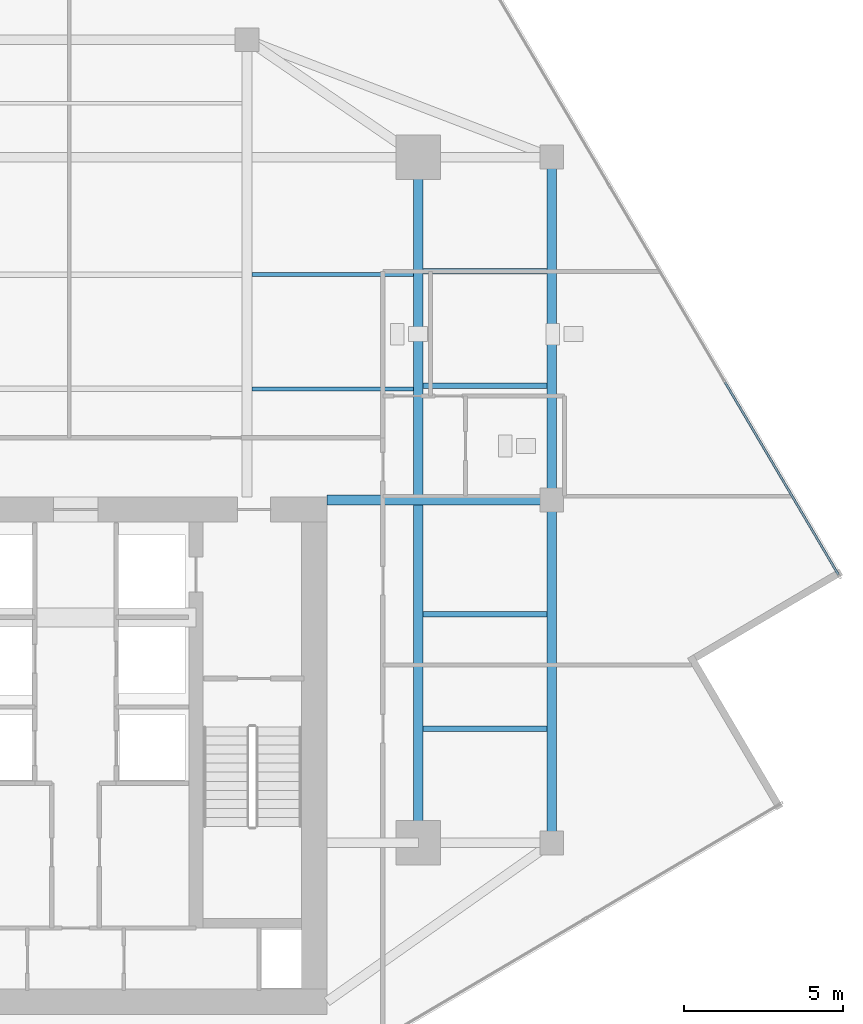
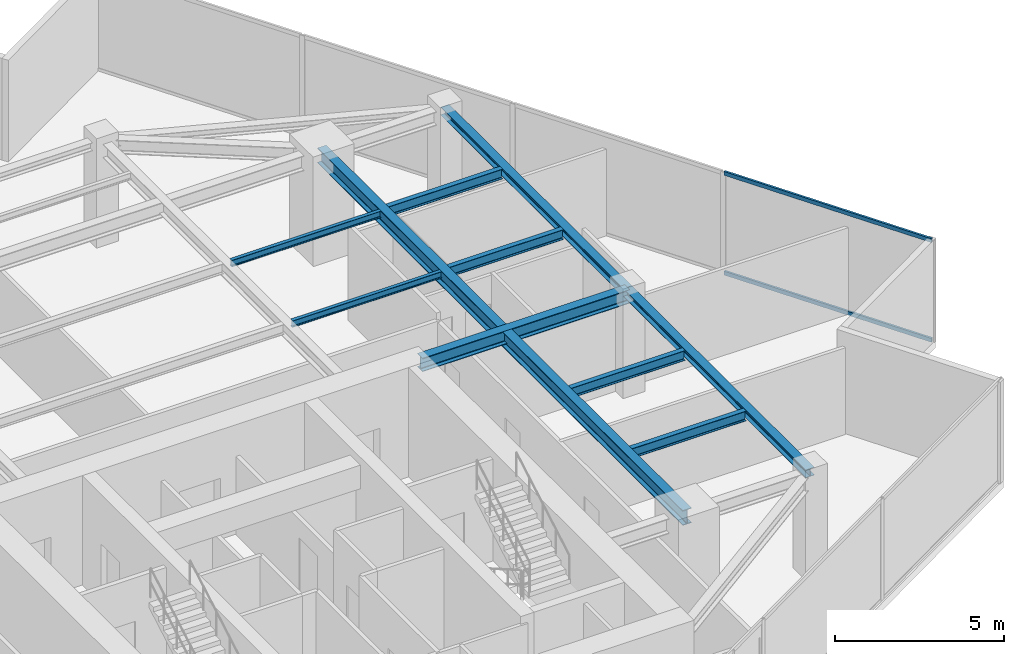
# One storey, part 9 of 20: 10 beams, 2 members, 1 element without a shape of its own.
"""IFC4 building model written with IfcOpenShell, lengths in metres."""

from ifc_helpers import new_model, si_unit, direction, frame, origin, origin_2d, place, context, subcontext, project, spatial, hollow_rectangle, i_section, extrude, source, transform, mapped, material, material_profile, profile_set, type_object, type_shapes, element, aggregate, save


model = new_model("IFC4")

# Units and contexts
model_context = context("Model", 3, precision=1e-05, world=origin(), true_north=direction((0.0, 1.0)))
body_context = subcontext(model_context, "Body", "Model", "MODEL_VIEW")
ifc_project = project(units=[si_unit("LENGTHUNIT", "METRE"), si_unit("AREAUNIT", "SQUARE_METRE"), si_unit("VOLUMEUNIT", "CUBIC_METRE"), si_unit("PLANEANGLEUNIT", "RADIAN"), si_unit("MASSUNIT", "GRAM", prefix="KILO")], contexts=[model_context])

# Site, building, storey
site_placement = place(None, origin())
site = spatial("IfcSite", under=ifc_project, at=site_placement, CompositionType="ELEMENT")
building_placement = place(site_placement, origin())
building = spatial("IfcBuilding", under=site, at=building_placement, Name="Krantzveldt Concourse Tower", CompositionType="ELEMENT")
storey_placement = place(building_placement, frame((0.0, 0.0, 299.0)))
storey = spatial("IfcBuildingStorey", under=building, at=storey_placement, Name="L73", CompositionType="ELEMENT", Elevation=299.0)

# Beams
ifc_material_1 = material(Name="Steel S355JR", Category="steel")
ifc_material_profile_1 = material_profile(ifc_material_1, i_section(OverallWidth=0.300048828125, OverallDepth=0.489990234375, WebThickness=0.011962890625, FlangeThickness=0.02294921875, FilletRadius=0.027099609375, at=origin_2d()), Name="Steel S355JR", Category="steel")
ifc_profile_set_1 = profile_set([ifc_material_profile_1], Name="Steel S355JR - HEA 500")
beam_type_1 = type_object("IfcBeamType", Name="BM-B-HEA500", PredefinedType="BEAM", material=ifc_profile_set_1)
shared_shape_1 = source(origin(), body_context, "Body", "SweptSolid", [
    extrude(i_section(OverallWidth=0.300048828125, OverallDepth=0.489990234375, WebThickness=0.011962890625, FlangeThickness=0.02294921875, FilletRadius=0.027099609375, at=origin_2d()), origin(), (0.0, 0.0, 1.0), 7.080078125),
])
type_shapes(beam_type_1, [shared_shape_1])
beam_1_placement = place(storey_placement, frame((43.919921875, 26.699951171875, 3.425048828125), z_axis=(1.0, 0.0, 0.0), x_axis=(0.0, 1.0, 0.0)))
element("IfcBeam", 1, at=beam_1_placement, inside=storey, type_object=beam_type_1, Name="L73 Tower Girder BG-CE2", PredefinedType="BEAM", context=body_context, shape_type="MappedRepresentation", body=[
    mapped(shared_shape_1, transform((0.0, 0.0, 0.0), x_axis=(1.0, 0.0, 0.0), y_axis=(0.0, 1.0, 0.0), z_axis=(0.0, 0.0, 1.0), scale=1.0)),
])
ifc_material_profile_2 = material_profile(ifc_material_1, i_section(OverallWidth=0.300048828125, OverallDepth=0.5400390625, WebThickness=0.012451171875, FlangeThickness=0.02392578125, FilletRadius=0.027099609375, at=origin_2d()), Name="Steel S355JR", Category="steel")
ifc_profile_set_2 = profile_set([ifc_material_profile_2], Name="Steel S355JR - HEA 550")
beam_type_2 = type_object("IfcBeamType", Name="BM-B-HEA550", PredefinedType="BEAM", material=ifc_profile_set_2)
shared_shape_2 = source(origin(), body_context, "Body", "SweptSolid", [
    extrude(i_section(OverallWidth=0.300048828125, OverallDepth=0.5400390625, WebThickness=0.012451171875, FlangeThickness=0.02392578125, FilletRadius=0.027099609375, at=origin_2d()), origin(), (0.0, 0.0, 1.0), 21.60009765625),
])
type_shapes(beam_type_2, [shared_shape_2])
beam_2_placement = place(storey_placement, frame((46.800048828125, 15.89990234375, 3.39990234375), z_axis=(0.0, 1.0, 0.0), x_axis=(-1.0, 0.0, 0.0)))
element("IfcBeam", 2, at=beam_2_placement, inside=storey, type_object=beam_type_2, Name="L73 Tower Girder BG-ME", PredefinedType="BEAM", context=body_context, shape_type="MappedRepresentation", body=[
    mapped(shared_shape_2, transform((0.0, 0.0, 0.0), x_axis=(1.0, 0.0, 0.0), y_axis=(0.0, 1.0, 0.0), z_axis=(0.0, 0.0, 1.0), scale=1.0)),
])
ifc_material_profile_3 = material_profile(ifc_material_1, i_section(OverallWidth=0.2900390625, OverallDepth=0.2900390625, WebThickness=0.008544921875, FlangeThickness=0.013916015625, FilletRadius=0.027099609375, at=origin_2d()), Name="Steel S355JR", Category="steel")
ifc_profile_set_3 = profile_set([ifc_material_profile_3], Name="Steel S355JR - HEA 300")
beam_type_3 = type_object("IfcBeamType", Name="BM-SP-HEA300", PredefinedType="SPANDREL", material=ifc_profile_set_3)
shared_shape_3 = source(origin(), body_context, "Body", "SweptSolid", [
    extrude(i_section(OverallWidth=0.2900390625, OverallDepth=0.2900390625, WebThickness=0.008544921875, FlangeThickness=0.013916015625, FilletRadius=0.027099609375, at=origin_2d()), origin(), (0.0, 0.0, 1.0), 10.800048828125),
])
type_shapes(beam_type_3, [shared_shape_3])
for number, where, z_axis, x_axis, name in (
    (3, (51.0, 37.5, 3.52490234375), (0.0, -1.0, 0.0), (1.0, 0.0, 0.0), "L73 Tower Girder SP-R06"),
    (4, (51.0, 26.699951171875, 3.52490234375), (0.0, -1.0, 0.0), (1.0, 0.0, 0.0), "L73 Tower Girder SP-R07"),
):
    element("IfcBeam", number, at=place(storey_placement, frame(where, z_axis=z_axis, x_axis=x_axis)), inside=storey, type_object=beam_type_3, Name=name, PredefinedType="SPANDREL", context=body_context, shape_type="MappedRepresentation", body=[
        mapped(shared_shape_3, transform((0.0, 0.0, 0.0), x_axis=(1.0, 0.0, 0.0), y_axis=(0.0, 1.0, 0.0), z_axis=(0.0, 0.0, 1.0), scale=1.0)),
    ])
ifc_material_profile_4 = material_profile(ifc_material_1, i_section(OverallWidth=0.1201171875, OverallDepth=0.239990234375, WebThickness=0.006103515625, FlangeThickness=0.009765625, FilletRadius=0.014892578125, at=origin_2d()), Name="Steel S355JR", Category="steel")
ifc_profile_set_4 = profile_set([ifc_material_profile_4], Name="Steel S355JR - IPE 240")
beam_type_4 = type_object("IfcBeamType", Name="BM-LN-IPE240", PredefinedType="LINTEL", material=ifc_profile_set_4)
shared_shape_4 = source(origin(), body_context, "Body", "SweptSolid", [
    extrude(i_section(OverallWidth=0.1201171875, OverallDepth=0.239990234375, WebThickness=0.006103515625, FlangeThickness=0.009765625, FilletRadius=0.014892578125, at=origin_2d()), origin(), (0.0, 0.0, 1.0), 5.099853515625),
])
type_shapes(beam_type_4, [shared_shape_4])
for number, where, z_axis, x_axis, name in (
    (5, (41.550048828125, 30.199951171875, 3.550048828125), (1.0, 0.0, 0.0), (0.0, 1.0, 0.0), "L73 Secondary Floor Joist JN-E1"),
    (6, (41.550048828125, 33.800048828125, 3.550048828125), (1.0, 0.0, 0.0), (0.0, 1.0, 0.0), "L73 Secondary Floor Joist JN-E2"),
):
    element("IfcBeam", number, at=place(storey_placement, frame(where, z_axis=z_axis, x_axis=x_axis)), inside=storey, type_object=beam_type_4, Name=name, PredefinedType="LINTEL", context=body_context, shape_type="MappedRepresentation", body=[
        mapped(shared_shape_4, transform((0.0, 0.0, 0.0), x_axis=(1.0, 0.0, 0.0), y_axis=(0.0, 1.0, 0.0), z_axis=(0.0, 0.0, 1.0), scale=1.0)),
    ])
ifc_material_profile_5 = material_profile(ifc_material_1, i_section(OverallWidth=0.169921875, OverallDepth=0.360107421875, WebThickness=0.008056640625, FlangeThickness=0.0126953125, FilletRadius=0.01806640625, at=origin_2d()), Name="Steel S355JR", Category="steel")
ifc_profile_set_5 = profile_set([ifc_material_profile_5], Name="Steel S355JR - IPE 360")
beam_type_5 = type_object("IfcBeamType", Name="BM-J-IPE360", PredefinedType="JOIST", material=ifc_profile_set_5)
shared_shape_5 = source(origin(), body_context, "Body", "SweptSolid", [
    extrude(i_section(OverallWidth=0.169921875, OverallDepth=0.360107421875, WebThickness=0.008056640625, FlangeThickness=0.0126953125, FilletRadius=0.01806640625, at=origin_2d()), origin(), (0.0, 0.0, 1.0), 3.900146484375),
])
type_shapes(beam_type_5, [shared_shape_5])
for number, where, z_axis, x_axis, name in (
    (7, (46.949951171875, 19.5, 3.489990234375), (1.0, 0.0, 0.0), (0.0, 1.0, 0.0), "L73 Secondary Floor Joist JE-1"),
    (8, (46.949951171875, 23.10009765625, 3.489990234375), (1.0, 0.0, 0.0), (0.0, 1.0, 0.0), "L73 Secondary Floor Joist JE-2"),
    (9, (46.949951171875, 30.300048828125, 3.489990234375), (1.0, 0.0, 0.0), (0.0, 1.0, 0.0), "L73 Secondary Floor Joist JE-3"),
    (10, (46.949951171875, 33.89990234375, 3.489990234375), (1.0, 0.0, 0.0), (0.0, 1.0, 0.0), "L73 Secondary Floor Joist JE-4"),
):
    element("IfcBeam", number, at=place(storey_placement, frame(where, z_axis=z_axis, x_axis=x_axis)), inside=storey, type_object=beam_type_5, Name=name, PredefinedType="JOIST", context=body_context, shape_type="MappedRepresentation", body=[
        mapped(shared_shape_5, transform((0.0, 0.0, 0.0), x_axis=(1.0, 0.0, 0.0), y_axis=(0.0, 1.0, 0.0), z_axis=(0.0, 0.0, 1.0), scale=1.0)),
    ])

# Curtain wall, members
ifc_material_2 = material(Name="Anodised aluminium 6063-T6", Category="aluminium")
curtain_wall_type = type_object("IfcCurtainWallType", Name="CW4", PredefinedType="USERDEFINED", material=ifc_material_2)
curtain_wall_placement = place(storey_placement, origin())
curtain_wall = element("IfcCurtainWall", 11, at=curtain_wall_placement, inside=storey, type_object=curtain_wall_type, Name="CW-L73-F10", ObjectType="UNITISED CURTAIN WALL", PredefinedType="USERDEFINED")
ifc_material_profile_6 = material_profile(ifc_material_2, hollow_rectangle(XDim=0.070068359375, YDim=0.139892578125, WallThickness=0.0048828125, at=origin_2d()), Name="Anodised aluminium 6063-T6", Category="aluminium")
ifc_profile_set_6 = profile_set([ifc_material_profile_6], Name="Anodised aluminium 6063-T6 - ALU-TRAN 140x70x5")
member_type = type_object("IfcMemberType", Name="CW-TRN-150", PredefinedType="USERDEFINED", material=ifc_profile_set_6)
shared_shape_6 = source(origin(), body_context, "Body", "SweptSolid", [
    extrude(hollow_rectangle(XDim=0.070068359375, YDim=0.139892578125, WallThickness=0.0048828125, at=origin_2d()), origin(), (0.0, 0.0, 1.0), 7.045166015625),
])
type_shapes(member_type, [shared_shape_6])
member_1_placement = place(storey_placement, frame((60.03271484375, 24.341064453125, 0.034912109375), z_axis=(-0.507537969638, 0.861629392126, 0.0), x_axis=(-0.861629392126, -0.507537969638, 0.0)))
member_1 = element("IfcMember", 12, at=member_1_placement, type_object=member_type, Name="CW-Z56 transom 1.1", ObjectType="TRANSOM", PredefinedType="USERDEFINED", context=body_context, shape_type="MappedRepresentation", body=[
    mapped(shared_shape_6, transform((0.0, 0.0, 0.0), x_axis=(1.0, 0.0, 0.0), y_axis=(0.0, 1.0, 0.0), z_axis=(0.0, 0.0, 1.0), scale=1.0)),
])
member_2_placement = place(storey_placement, frame((60.03271484375, 24.341064453125, 3.635009765625), z_axis=(-0.507537969638, 0.861629392126, 0.0), x_axis=(-0.861629392126, -0.507537969638, 0.0)))
member_2 = element("IfcMember", 13, at=member_2_placement, type_object=member_type, Name="CW-Z56 transom 1.2", ObjectType="TRANSOM", PredefinedType="USERDEFINED", context=body_context, shape_type="MappedRepresentation", body=[
    mapped(shared_shape_6, transform((0.0, 0.0, 0.0), x_axis=(1.0, 0.0, 0.0), y_axis=(0.0, 1.0, 0.0), z_axis=(0.0, 0.0, 1.0), scale=1.0)),
])
aggregate(curtain_wall, [member_1, member_2])

save(model, "model.ifc")
